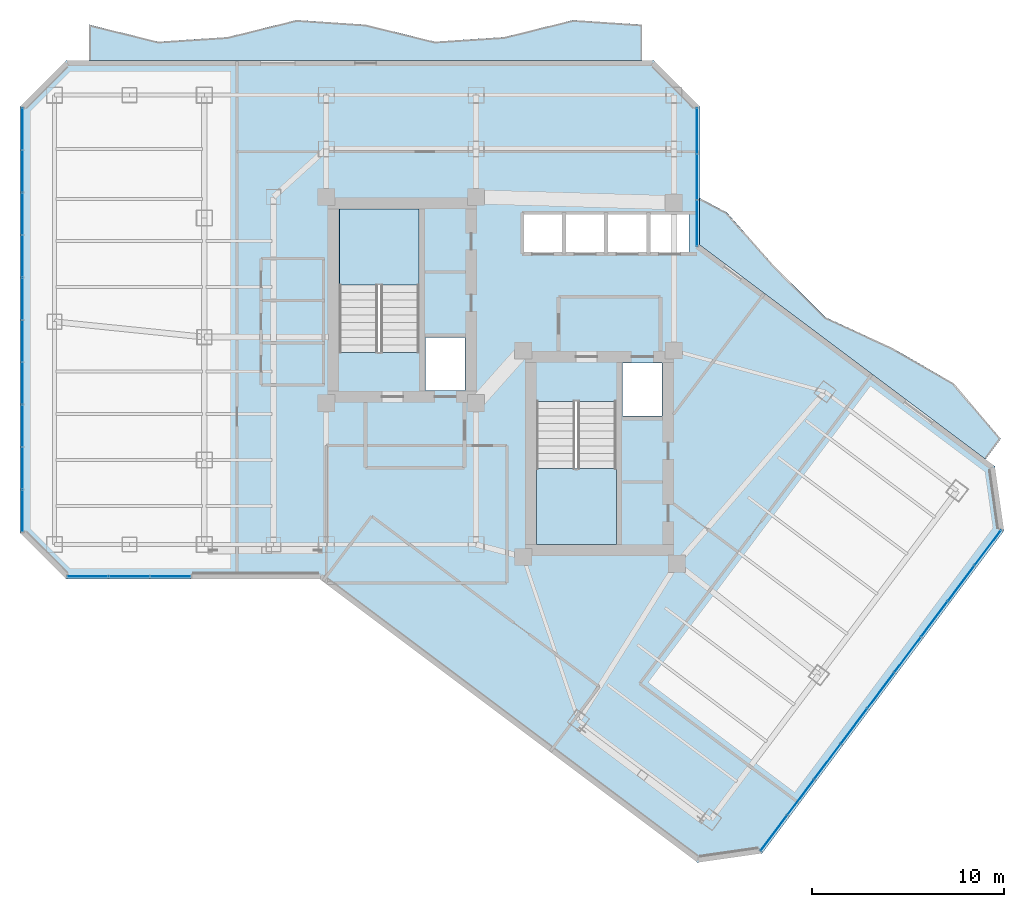
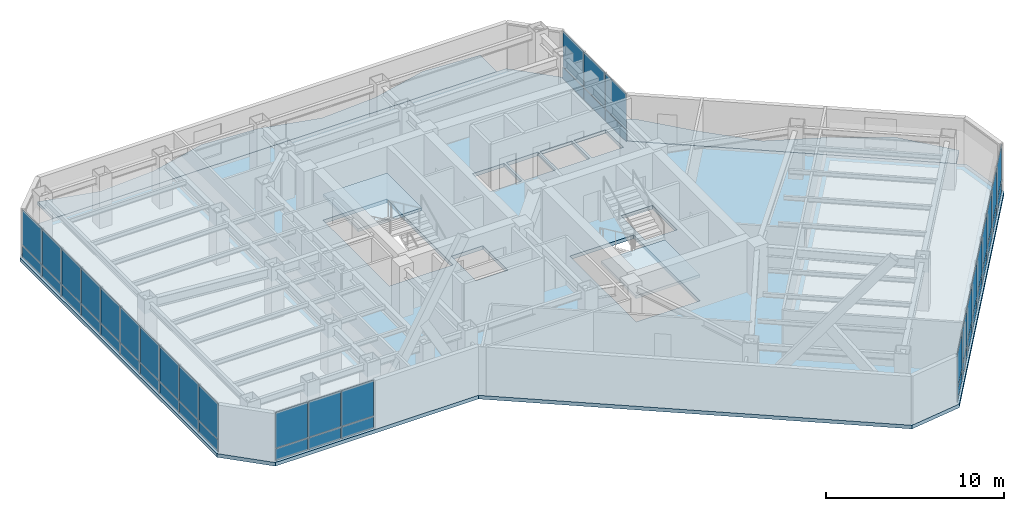
# One storey, part 20 of 26: 50 plates, 5 slabs, 6 elements without a shape of their own.
"""IFC4 building model written with IfcOpenShell, lengths in metres."""

from ifc_helpers import new_model, si_unit, direction, frame, origin, origin_2d, place, context, subcontext, project, spatial, polyline, rectangle, outline, extrude, material, layer, layer_set, type_object, element, aggregate, save


model = new_model("IFC4")

# Units and contexts
model_context = context("Model", 3, precision=1e-05, world=origin(), true_north=direction((0.0, 1.0)))
body_context = subcontext(model_context, "Body", "Model", "MODEL_VIEW")
ifc_project = project(units=[si_unit("LENGTHUNIT", "METRE"), si_unit("AREAUNIT", "SQUARE_METRE"), si_unit("VOLUMEUNIT", "CUBIC_METRE"), si_unit("PLANEANGLEUNIT", "RADIAN"), si_unit("MASSUNIT", "GRAM", prefix="KILO")], contexts=[model_context])

# Site, building, storey
site_placement = place(None, origin())
site = spatial("IfcSite", under=ifc_project, at=site_placement, CompositionType="ELEMENT")
building_placement = place(site_placement, origin())
building = spatial("IfcBuilding", under=site, at=building_placement, Name="Hatsunagi Terrace Concourse", CompositionType="ELEMENT")
storey_placement = place(building_placement, frame((0.0, 0.0, 134.85009765625)))
storey = spatial("IfcBuildingStorey", under=building, at=storey_placement, Name="L35", CompositionType="ELEMENT", Elevation=134.85009765625)

# Curtain wall, plates
ifc_material_1 = material(Name="Anodised Aluminium Alloy 6063-T5", Category="aluminium")
ifc_layer_1 = layer(ifc_material_1, 0.199951171875)
ifc_layer_set_1 = layer_set([ifc_layer_1], Name="OfficeZone1_CW03")
curtain_wall_type = type_object("IfcCurtainWallType", Name="OfficeZone1_CW03", PredefinedType="NOTDEFINED", material=ifc_layer_set_1)
curtain_wall_1_placement = place(storey_placement, origin())
curtain_wall_1 = element("IfcCurtainWall", 1, at=curtain_wall_1_placement, inside=storey, type_object=curtain_wall_type, Name="Unitised Curtain Wall CW-03 CW-L35-03", PredefinedType="NOTDEFINED")
ifc_material_2 = material(Name="Warm Terracotta Ceramic Spandrel Panel", Category="masonry")
ifc_layer_2 = layer(ifc_material_2, 0.031982421875)
ifc_layer_set_2 = layer_set([ifc_layer_2], Name="CurtainWallSpandrelPanel_32")
plate_type_1 = type_object("IfcPlateType", Name="CurtainWallSpandrelPanel_32", PredefinedType="SHEET", material=ifc_layer_set_2)
plate_1_placement = place(storey_placement, frame((59.9970703125, 25.030029296875, 0.02978515625), z_axis=(0.0, 0.0, 1.0), x_axis=(-0.599969314634, -0.800023013105, 0.0)))
plate_1 = element("IfcPlate", 2, at=plate_1_placement, type_object=plate_type_1, Name="Terracotta Spandrel Panel SPN-01", PredefinedType="SHEET", context=body_context, shape_type="SweptSolid", body=[
    extrude(rectangle(XDim=2.264892578125, YDim=0.031982421875, at=origin_2d()), origin(), (0.0, 0.0, 1.0), 0.7900390625),
])
plate_2_placement = place(storey_placement, frame((58.60498046875, 23.173095703125, 0.02978515625), z_axis=(0.0, 0.0, 1.0), x_axis=(-0.599969314634, -0.800023013105, 0.0)))
plate_2 = element("IfcPlate", 3, at=plate_2_placement, type_object=plate_type_1, Name="Terracotta Spandrel Panel SPN-01", PredefinedType="SHEET", context=body_context, shape_type="SweptSolid", body=[
    extrude(rectangle(XDim=2.264892578125, YDim=0.031982421875, at=origin_2d()), origin(), (0.0, 0.0, 1.0), 0.7900390625),
])
plate_3_placement = place(storey_placement, frame((57.2119140625, 21.31689453125, 0.02978515625), z_axis=(0.0, 0.0, 1.0), x_axis=(-0.599969314634, -0.800023013105, 0.0)))
plate_3 = element("IfcPlate", 4, at=plate_3_placement, type_object=plate_type_1, Name="Terracotta Spandrel Panel SPN-01", PredefinedType="SHEET", context=body_context, shape_type="SweptSolid", body=[
    extrude(rectangle(XDim=2.264892578125, YDim=0.031982421875, at=origin_2d()), origin(), (0.0, 0.0, 1.0), 0.7900390625),
])
plate_4_placement = place(storey_placement, frame((55.820068359375, 19.4599609375, 0.02978515625), z_axis=(0.0, 0.0, 1.0), x_axis=(-0.599969314634, -0.800023013105, 0.0)))
plate_4 = element("IfcPlate", 5, at=plate_4_placement, type_object=plate_type_1, Name="Terracotta Spandrel Panel SPN-01", PredefinedType="SHEET", context=body_context, shape_type="SweptSolid", body=[
    extrude(rectangle(XDim=2.264892578125, YDim=0.031982421875, at=origin_2d()), origin(), (0.0, 0.0, 1.0), 0.7900390625),
])
plate_5_placement = place(storey_placement, frame((54.427978515625, 17.60400390625, 0.02978515625), z_axis=(0.0, 0.0, 1.0), x_axis=(-0.599969314634, -0.800023013105, 0.0)))
plate_5 = element("IfcPlate", 6, at=plate_5_placement, type_object=plate_type_1, Name="Terracotta Spandrel Panel SPN-01", PredefinedType="SHEET", context=body_context, shape_type="SweptSolid", body=[
    extrude(rectangle(XDim=2.264892578125, YDim=0.031982421875, at=origin_2d()), origin(), (0.0, 0.0, 1.0), 0.7900390625),
])
plate_6_placement = place(storey_placement, frame((53.035888671875, 15.748046875, 0.02978515625), z_axis=(0.0, 0.0, 1.0), x_axis=(-0.599969314634, -0.800023013105, 0.0)))
plate_6 = element("IfcPlate", 7, at=plate_6_placement, type_object=plate_type_1, Name="Terracotta Spandrel Panel SPN-01", PredefinedType="SHEET", context=body_context, shape_type="SweptSolid", body=[
    extrude(rectangle(XDim=2.264892578125, YDim=0.031982421875, at=origin_2d()), origin(), (0.0, 0.0, 1.0), 0.7900390625),
])
plate_7_placement = place(storey_placement, frame((51.64404296875, 13.89111328125, 0.02978515625), z_axis=(0.0, 0.0, 1.0), x_axis=(-0.599969314634, -0.800023013105, 0.0)))
plate_7 = element("IfcPlate", 8, at=plate_7_placement, type_object=plate_type_1, Name="Terracotta Spandrel Panel SPN-01", PredefinedType="SHEET", context=body_context, shape_type="SweptSolid", body=[
    extrude(rectangle(XDim=2.264892578125, YDim=0.031982421875, at=origin_2d()), origin(), (0.0, 0.0, 1.0), 0.7900390625),
])
plate_8_placement = place(storey_placement, frame((50.2509765625, 12.034912109375, 0.02978515625), z_axis=(0.0, 0.0, 1.0), x_axis=(-0.599969314634, -0.800023013105, 0.0)))
plate_8 = element("IfcPlate", 9, at=plate_8_placement, type_object=plate_type_1, Name="Terracotta Spandrel Panel SPN-01", PredefinedType="SHEET", context=body_context, shape_type="SweptSolid", body=[
    extrude(rectangle(XDim=2.264892578125, YDim=0.031982421875, at=origin_2d()), origin(), (0.0, 0.0, 1.0), 0.7900390625),
])
plate_9_placement = place(storey_placement, frame((48.85888671875, 10.177978515625, 0.02978515625), z_axis=(0.0, 0.0, 1.0), x_axis=(-0.599969314634, -0.800023013105, 0.0)))
plate_9 = element("IfcPlate", 10, at=plate_9_placement, type_object=plate_type_1, Name="Terracotta Spandrel Panel SPN-01", PredefinedType="SHEET", context=body_context, shape_type="SweptSolid", body=[
    extrude(rectangle(XDim=2.264892578125, YDim=0.031982421875, at=origin_2d()), origin(), (0.0, 0.0, 1.0), 0.7900390625),
])

curtain_wall_2_placement = place(storey_placement, origin())
curtain_wall_2 = element("IfcCurtainWall", 11, at=curtain_wall_2_placement, inside=storey, type_object=curtain_wall_type, Name="Unitised Curtain Wall CW-03 CW-L35-07", PredefinedType="NOTDEFINED")
plate_10_placement = place(storey_placement, frame((17.426025390625, 23.5400390625, 0.02978515625), z_axis=(0.0, 0.0, 1.0), x_axis=(-1.0, 0.0, 0.0)))
plate_10 = element("IfcPlate", 12, at=plate_10_placement, type_object=plate_type_1, Name="Terracotta Spandrel Panel SPN-01", PredefinedType="SHEET", context=body_context, shape_type="SweptSolid", body=[
    extrude(rectangle(XDim=2.092041015625, YDim=0.031982421875, at=origin_2d()), origin(), (0.0, 0.0, 1.0), 0.7900390625),
])
plate_11_placement = place(storey_placement, frame((15.279052734375, 23.5400390625, 0.02978515625), z_axis=(0.0, 0.0, 1.0), x_axis=(-1.0, 0.0, 0.0)))
plate_11 = element("IfcPlate", 13, at=plate_11_placement, type_object=plate_type_1, Name="Terracotta Spandrel Panel SPN-01", PredefinedType="SHEET", context=body_context, shape_type="SweptSolid", body=[
    extrude(rectangle(XDim=2.092041015625, YDim=0.031982421875, at=origin_2d()), origin(), (0.0, 0.0, 1.0), 0.7900390625),
])
plate_12_placement = place(storey_placement, frame((13.132080078125, 23.5400390625, 0.02978515625), z_axis=(0.0, 0.0, 1.0), x_axis=(-1.0, 0.0, 0.0)))
plate_12 = element("IfcPlate", 14, at=plate_12_placement, type_object=plate_type_1, Name="Terracotta Spandrel Panel SPN-01", PredefinedType="SHEET", context=body_context, shape_type="SweptSolid", body=[
    extrude(rectangle(XDim=2.092041015625, YDim=0.031982421875, at=origin_2d()), origin(), (0.0, 0.0, 1.0), 0.7900390625),
])

curtain_wall_3_placement = place(storey_placement, origin())
curtain_wall_3 = element("IfcCurtainWall", 15, at=curtain_wall_3_placement, inside=storey, type_object=curtain_wall_type, Name="Unitised Curtain Wall CW-03 CW-L35-09", PredefinedType="NOTDEFINED")
plate_13_placement = place(storey_placement, frame((9.739990234375, 26.9619140625, 0.02978515625), z_axis=(0.0, 0.0, 1.0), x_axis=(0.0, 1.0, 0.0)))
plate_13 = element("IfcPlate", 16, at=plate_13_placement, type_object=plate_type_1, Name="Terracotta Spandrel Panel SPN-01", PredefinedType="SHEET", context=body_context, shape_type="SweptSolid", body=[
    extrude(rectangle(XDim=2.153076171875, YDim=0.031982421875, at=origin_2d()), origin(), (0.0, 0.0, 1.0), 0.7900390625),
])
plate_14_placement = place(storey_placement, frame((9.739990234375, 29.1708984375, 0.02978515625), z_axis=(0.0, 0.0, 1.0), x_axis=(0.0, 1.0, 0.0)))
plate_14 = element("IfcPlate", 17, at=plate_14_placement, type_object=plate_type_1, Name="Terracotta Spandrel Panel SPN-01", PredefinedType="SHEET", context=body_context, shape_type="SweptSolid", body=[
    extrude(rectangle(XDim=2.153076171875, YDim=0.031982421875, at=origin_2d()), origin(), (0.0, 0.0, 1.0), 0.7900390625),
])
plate_15_placement = place(storey_placement, frame((9.739990234375, 31.37890625, 0.02978515625), z_axis=(0.0, 0.0, 1.0), x_axis=(0.0, 1.0, 0.0)))
plate_15 = element("IfcPlate", 18, at=plate_15_placement, type_object=plate_type_1, Name="Terracotta Spandrel Panel SPN-01", PredefinedType="SHEET", context=body_context, shape_type="SweptSolid", body=[
    extrude(rectangle(XDim=2.153076171875, YDim=0.031982421875, at=origin_2d()), origin(), (0.0, 0.0, 1.0), 0.7900390625),
])
plate_16_placement = place(storey_placement, frame((9.739990234375, 33.5869140625, 0.02978515625), z_axis=(0.0, 0.0, 1.0), x_axis=(0.0, 1.0, 0.0)))
plate_16 = element("IfcPlate", 19, at=plate_16_placement, type_object=plate_type_1, Name="Terracotta Spandrel Panel SPN-01", PredefinedType="SHEET", context=body_context, shape_type="SweptSolid", body=[
    extrude(rectangle(XDim=2.153076171875, YDim=0.031982421875, at=origin_2d()), origin(), (0.0, 0.0, 1.0), 0.7900390625),
])
plate_17_placement = place(storey_placement, frame((9.739990234375, 35.7958984375, 0.02978515625), z_axis=(0.0, 0.0, 1.0), x_axis=(0.0, 1.0, 0.0)))
plate_17 = element("IfcPlate", 20, at=plate_17_placement, type_object=plate_type_1, Name="Terracotta Spandrel Panel SPN-01", PredefinedType="SHEET", context=body_context, shape_type="SweptSolid", body=[
    extrude(rectangle(XDim=2.153076171875, YDim=0.031982421875, at=origin_2d()), origin(), (0.0, 0.0, 1.0), 0.7900390625),
])
plate_18_placement = place(storey_placement, frame((9.739990234375, 38.00390625, 0.02978515625), z_axis=(0.0, 0.0, 1.0), x_axis=(0.0, 1.0, 0.0)))
plate_18 = element("IfcPlate", 21, at=plate_18_placement, type_object=plate_type_1, Name="Terracotta Spandrel Panel SPN-01", PredefinedType="SHEET", context=body_context, shape_type="SweptSolid", body=[
    extrude(rectangle(XDim=2.153076171875, YDim=0.031982421875, at=origin_2d()), origin(), (0.0, 0.0, 1.0), 0.7900390625),
])
plate_19_placement = place(storey_placement, frame((9.739990234375, 40.212890625, 0.02978515625), z_axis=(0.0, 0.0, 1.0), x_axis=(0.0, 1.0, 0.0)))
plate_19 = element("IfcPlate", 22, at=plate_19_placement, type_object=plate_type_1, Name="Terracotta Spandrel Panel SPN-01", PredefinedType="SHEET", context=body_context, shape_type="SweptSolid", body=[
    extrude(rectangle(XDim=2.153076171875, YDim=0.031982421875, at=origin_2d()), origin(), (0.0, 0.0, 1.0), 0.7900390625),
])
plate_20_placement = place(storey_placement, frame((9.739990234375, 42.4208984375, 0.02978515625), z_axis=(0.0, 0.0, 1.0), x_axis=(0.0, 1.0, 0.0)))
plate_20 = element("IfcPlate", 23, at=plate_20_placement, type_object=plate_type_1, Name="Terracotta Spandrel Panel SPN-01", PredefinedType="SHEET", context=body_context, shape_type="SweptSolid", body=[
    extrude(rectangle(XDim=2.153076171875, YDim=0.031982421875, at=origin_2d()), origin(), (0.0, 0.0, 1.0), 0.7900390625),
])
plate_21_placement = place(storey_placement, frame((9.739990234375, 44.62890625, 0.02978515625), z_axis=(0.0, 0.0, 1.0), x_axis=(0.0, 1.0, 0.0)))
plate_21 = element("IfcPlate", 24, at=plate_21_placement, type_object=plate_type_1, Name="Terracotta Spandrel Panel SPN-01", PredefinedType="SHEET", context=body_context, shape_type="SweptSolid", body=[
    extrude(rectangle(XDim=2.153076171875, YDim=0.031982421875, at=origin_2d()), origin(), (0.0, 0.0, 1.0), 0.7900390625),
])
plate_22_placement = place(storey_placement, frame((9.739990234375, 46.837890625, 0.02978515625), z_axis=(0.0, 0.0, 1.0), x_axis=(0.0, 1.0, 0.0)))
plate_22 = element("IfcPlate", 25, at=plate_22_placement, type_object=plate_type_1, Name="Terracotta Spandrel Panel SPN-01", PredefinedType="SHEET", context=body_context, shape_type="SweptSolid", body=[
    extrude(rectangle(XDim=2.153076171875, YDim=0.031982421875, at=origin_2d()), origin(), (0.0, 0.0, 1.0), 0.7900390625),
])

curtain_wall_4_placement = place(storey_placement, origin())
curtain_wall_4 = element("IfcCurtainWall", 26, at=curtain_wall_4_placement, inside=storey, type_object=curtain_wall_type, Name="Unitised Curtain Wall CW-03 CW-L35-13", PredefinedType="NOTDEFINED")
plate_23_placement = place(storey_placement, frame((44.860107421875, 46.739990234375, 0.02978515625), z_axis=(0.0, 0.0, 1.0), x_axis=(0.0, -1.0, 0.0)))
plate_23 = element("IfcPlate", 27, at=plate_23_placement, type_object=plate_type_1, Name="Terracotta Spandrel Panel SPN-01", PredefinedType="SHEET", context=body_context, shape_type="SweptSolid", body=[
    extrude(rectangle(XDim=2.34912109375, YDim=0.031982421875, at=origin_2d()), origin(), (0.0, 0.0, 1.0), 0.7900390625),
])
plate_24_placement = place(storey_placement, frame((44.860107421875, 44.3359375, 0.02978515625), z_axis=(0.0, 0.0, 1.0), x_axis=(0.0, -1.0, 0.0)))
plate_24 = element("IfcPlate", 28, at=plate_24_placement, type_object=plate_type_1, Name="Terracotta Spandrel Panel SPN-01", PredefinedType="SHEET", context=body_context, shape_type="SweptSolid", body=[
    extrude(rectangle(XDim=2.34912109375, YDim=0.031982421875, at=origin_2d()), origin(), (0.0, 0.0, 1.0), 0.7900390625),
])
plate_25_placement = place(storey_placement, frame((44.860107421875, 41.931884765625, 0.02978515625), z_axis=(0.0, 0.0, 1.0), x_axis=(0.0, -1.0, 0.0)))
plate_25 = element("IfcPlate", 29, at=plate_25_placement, type_object=plate_type_1, Name="Terracotta Spandrel Panel SPN-01", PredefinedType="SHEET", context=body_context, shape_type="SweptSolid", body=[
    extrude(rectangle(XDim=2.34912109375, YDim=0.031982421875, at=origin_2d()), origin(), (0.0, 0.0, 1.0), 0.7900390625),
])

# Plate
ifc_material_3 = material(Name="Low-E Double Insulating Glass 28mm", Category="glass")
ifc_layer_3 = layer(ifc_material_3, 0.028076171875)
ifc_layer_set_3 = layer_set([ifc_layer_3], Name="CurtainWallVisionGlass_28")
plate_type_2 = type_object("IfcPlateType", Name="CurtainWallVisionGlass_28", PredefinedType="CURTAIN_PANEL", material=ifc_layer_set_3)
plate_26_placement = place(storey_placement, frame((59.9970703125, 25.030029296875, 0.8798828125), z_axis=(0.0, 0.0, 1.0), x_axis=(-0.599969314634, -0.800023013105, 0.0)))
plate_26 = element("IfcPlate", 30, at=plate_26_placement, type_object=plate_type_2, Name="Low-E Vision Glass Panel GLZ-01", PredefinedType="CURTAIN_PANEL", context=body_context, shape_type="SweptSolid", body=[
    extrude(rectangle(XDim=2.264892578125, YDim=0.028076171875, at=origin_2d()), origin(), (0.0, 0.0, 1.0), 2.43994140625),
])

plate_27_placement = place(storey_placement, frame((58.60498046875, 23.173095703125, 0.8798828125), z_axis=(0.0, 0.0, 1.0), x_axis=(-0.599969314634, -0.800023013105, 0.0)))
plate_27 = element("IfcPlate", 31, at=plate_27_placement, type_object=plate_type_2, Name="Low-E Vision Glass Panel GLZ-01", PredefinedType="CURTAIN_PANEL", context=body_context, shape_type="SweptSolid", body=[
    extrude(rectangle(XDim=2.264892578125, YDim=0.028076171875, at=origin_2d()), origin(), (0.0, 0.0, 1.0), 2.43994140625),
])

plate_28_placement = place(storey_placement, frame((57.2119140625, 21.31689453125, 0.8798828125), z_axis=(0.0, 0.0, 1.0), x_axis=(-0.599969314634, -0.800023013105, 0.0)))
plate_28 = element("IfcPlate", 32, at=plate_28_placement, type_object=plate_type_2, Name="Low-E Vision Glass Panel GLZ-01", PredefinedType="CURTAIN_PANEL", context=body_context, shape_type="SweptSolid", body=[
    extrude(rectangle(XDim=2.264892578125, YDim=0.028076171875, at=origin_2d()), origin(), (0.0, 0.0, 1.0), 2.43994140625),
])

plate_29_placement = place(storey_placement, frame((55.820068359375, 19.4599609375, 0.8798828125), z_axis=(0.0, 0.0, 1.0), x_axis=(-0.599969314634, -0.800023013105, 0.0)))
plate_29 = element("IfcPlate", 33, at=plate_29_placement, type_object=plate_type_2, Name="Low-E Vision Glass Panel GLZ-01", PredefinedType="CURTAIN_PANEL", context=body_context, shape_type="SweptSolid", body=[
    extrude(rectangle(XDim=2.264892578125, YDim=0.028076171875, at=origin_2d()), origin(), (0.0, 0.0, 1.0), 2.43994140625),
])

plate_30_placement = place(storey_placement, frame((54.427978515625, 17.60400390625, 0.8798828125), z_axis=(0.0, 0.0, 1.0), x_axis=(-0.599969314634, -0.800023013105, 0.0)))
plate_30 = element("IfcPlate", 34, at=plate_30_placement, type_object=plate_type_2, Name="Low-E Vision Glass Panel GLZ-01", PredefinedType="CURTAIN_PANEL", context=body_context, shape_type="SweptSolid", body=[
    extrude(rectangle(XDim=2.264892578125, YDim=0.028076171875, at=origin_2d()), origin(), (0.0, 0.0, 1.0), 2.43994140625),
])

plate_31_placement = place(storey_placement, frame((53.035888671875, 15.748046875, 0.8798828125), z_axis=(0.0, 0.0, 1.0), x_axis=(-0.599969314634, -0.800023013105, 0.0)))
plate_31 = element("IfcPlate", 35, at=plate_31_placement, type_object=plate_type_2, Name="Low-E Vision Glass Panel GLZ-01", PredefinedType="CURTAIN_PANEL", context=body_context, shape_type="SweptSolid", body=[
    extrude(rectangle(XDim=2.264892578125, YDim=0.028076171875, at=origin_2d()), origin(), (0.0, 0.0, 1.0), 2.43994140625),
])

plate_32_placement = place(storey_placement, frame((51.64404296875, 13.89111328125, 0.8798828125), z_axis=(0.0, 0.0, 1.0), x_axis=(-0.599969314634, -0.800023013105, 0.0)))
plate_32 = element("IfcPlate", 36, at=plate_32_placement, type_object=plate_type_2, Name="Low-E Vision Glass Panel GLZ-01", PredefinedType="CURTAIN_PANEL", context=body_context, shape_type="SweptSolid", body=[
    extrude(rectangle(XDim=2.264892578125, YDim=0.028076171875, at=origin_2d()), origin(), (0.0, 0.0, 1.0), 2.43994140625),
])

plate_33_placement = place(storey_placement, frame((50.2509765625, 12.034912109375, 0.8798828125), z_axis=(0.0, 0.0, 1.0), x_axis=(-0.599969314634, -0.800023013105, 0.0)))
plate_33 = element("IfcPlate", 37, at=plate_33_placement, type_object=plate_type_2, Name="Low-E Vision Glass Panel GLZ-01", PredefinedType="CURTAIN_PANEL", context=body_context, shape_type="SweptSolid", body=[
    extrude(rectangle(XDim=2.264892578125, YDim=0.028076171875, at=origin_2d()), origin(), (0.0, 0.0, 1.0), 2.43994140625),
])

plate_34_placement = place(storey_placement, frame((48.85888671875, 10.177978515625, 0.8798828125), z_axis=(0.0, 0.0, 1.0), x_axis=(-0.599969314634, -0.800023013105, 0.0)))
plate_34 = element("IfcPlate", 38, at=plate_34_placement, type_object=plate_type_2, Name="Low-E Vision Glass Panel GLZ-01", PredefinedType="CURTAIN_PANEL", context=body_context, shape_type="SweptSolid", body=[
    extrude(rectangle(XDim=2.264892578125, YDim=0.028076171875, at=origin_2d()), origin(), (0.0, 0.0, 1.0), 2.43994140625),
])

aggregate(curtain_wall_1, [plate_1, plate_26, plate_2, plate_27, plate_3, plate_28, plate_4, plate_29, plate_5, plate_30, plate_6, plate_31, plate_7, plate_32, plate_8, plate_33, plate_9, plate_34])

plate_35_placement = place(storey_placement, frame((17.426025390625, 23.5400390625, 0.8798828125), z_axis=(0.0, 0.0, 1.0), x_axis=(-1.0, 0.0, 0.0)))
plate_35 = element("IfcPlate", 39, at=plate_35_placement, type_object=plate_type_2, Name="Low-E Vision Glass Panel GLZ-01", PredefinedType="CURTAIN_PANEL", context=body_context, shape_type="SweptSolid", body=[
    extrude(rectangle(XDim=2.092041015625, YDim=0.028076171875, at=origin_2d()), origin(), (0.0, 0.0, 1.0), 2.43994140625),
])

plate_36_placement = place(storey_placement, frame((15.279052734375, 23.5400390625, 0.8798828125), z_axis=(0.0, 0.0, 1.0), x_axis=(-1.0, 0.0, 0.0)))
plate_36 = element("IfcPlate", 40, at=plate_36_placement, type_object=plate_type_2, Name="Low-E Vision Glass Panel GLZ-01", PredefinedType="CURTAIN_PANEL", context=body_context, shape_type="SweptSolid", body=[
    extrude(rectangle(XDim=2.092041015625, YDim=0.028076171875, at=origin_2d()), origin(), (0.0, 0.0, 1.0), 2.43994140625),
])

plate_37_placement = place(storey_placement, frame((13.132080078125, 23.5400390625, 0.8798828125), z_axis=(0.0, 0.0, 1.0), x_axis=(-1.0, 0.0, 0.0)))
plate_37 = element("IfcPlate", 41, at=plate_37_placement, type_object=plate_type_2, Name="Low-E Vision Glass Panel GLZ-01", PredefinedType="CURTAIN_PANEL", context=body_context, shape_type="SweptSolid", body=[
    extrude(rectangle(XDim=2.092041015625, YDim=0.028076171875, at=origin_2d()), origin(), (0.0, 0.0, 1.0), 2.43994140625),
])

aggregate(curtain_wall_2, [plate_10, plate_35, plate_11, plate_36, plate_12, plate_37])

plate_38_placement = place(storey_placement, frame((9.739990234375, 26.9619140625, 0.8798828125), z_axis=(0.0, 0.0, 1.0), x_axis=(0.0, 1.0, 0.0)))
plate_38 = element("IfcPlate", 42, at=plate_38_placement, type_object=plate_type_2, Name="Low-E Vision Glass Panel GLZ-01", PredefinedType="CURTAIN_PANEL", context=body_context, shape_type="SweptSolid", body=[
    extrude(rectangle(XDim=2.153076171875, YDim=0.028076171875, at=origin_2d()), origin(), (0.0, 0.0, 1.0), 2.43994140625),
])

plate_39_placement = place(storey_placement, frame((9.739990234375, 29.1708984375, 0.8798828125), z_axis=(0.0, 0.0, 1.0), x_axis=(0.0, 1.0, 0.0)))
plate_39 = element("IfcPlate", 43, at=plate_39_placement, type_object=plate_type_2, Name="Low-E Vision Glass Panel GLZ-01", PredefinedType="CURTAIN_PANEL", context=body_context, shape_type="SweptSolid", body=[
    extrude(rectangle(XDim=2.153076171875, YDim=0.028076171875, at=origin_2d()), origin(), (0.0, 0.0, 1.0), 2.43994140625),
])

plate_40_placement = place(storey_placement, frame((9.739990234375, 31.37890625, 0.8798828125), z_axis=(0.0, 0.0, 1.0), x_axis=(0.0, 1.0, 0.0)))
plate_40 = element("IfcPlate", 44, at=plate_40_placement, type_object=plate_type_2, Name="Low-E Vision Glass Panel GLZ-01", PredefinedType="CURTAIN_PANEL", context=body_context, shape_type="SweptSolid", body=[
    extrude(rectangle(XDim=2.153076171875, YDim=0.028076171875, at=origin_2d()), origin(), (0.0, 0.0, 1.0), 2.43994140625),
])

plate_41_placement = place(storey_placement, frame((9.739990234375, 33.5869140625, 0.8798828125), z_axis=(0.0, 0.0, 1.0), x_axis=(0.0, 1.0, 0.0)))
plate_41 = element("IfcPlate", 45, at=plate_41_placement, type_object=plate_type_2, Name="Low-E Vision Glass Panel GLZ-01", PredefinedType="CURTAIN_PANEL", context=body_context, shape_type="SweptSolid", body=[
    extrude(rectangle(XDim=2.153076171875, YDim=0.028076171875, at=origin_2d()), origin(), (0.0, 0.0, 1.0), 2.43994140625),
])

plate_42_placement = place(storey_placement, frame((9.739990234375, 35.7958984375, 0.8798828125), z_axis=(0.0, 0.0, 1.0), x_axis=(0.0, 1.0, 0.0)))
plate_42 = element("IfcPlate", 46, at=plate_42_placement, type_object=plate_type_2, Name="Low-E Vision Glass Panel GLZ-01", PredefinedType="CURTAIN_PANEL", context=body_context, shape_type="SweptSolid", body=[
    extrude(rectangle(XDim=2.153076171875, YDim=0.028076171875, at=origin_2d()), origin(), (0.0, 0.0, 1.0), 2.43994140625),
])

plate_43_placement = place(storey_placement, frame((9.739990234375, 38.00390625, 0.8798828125), z_axis=(0.0, 0.0, 1.0), x_axis=(0.0, 1.0, 0.0)))
plate_43 = element("IfcPlate", 47, at=plate_43_placement, type_object=plate_type_2, Name="Low-E Vision Glass Panel GLZ-01", PredefinedType="CURTAIN_PANEL", context=body_context, shape_type="SweptSolid", body=[
    extrude(rectangle(XDim=2.153076171875, YDim=0.028076171875, at=origin_2d()), origin(), (0.0, 0.0, 1.0), 2.43994140625),
])

plate_44_placement = place(storey_placement, frame((9.739990234375, 40.212890625, 0.8798828125), z_axis=(0.0, 0.0, 1.0), x_axis=(0.0, 1.0, 0.0)))
plate_44 = element("IfcPlate", 48, at=plate_44_placement, type_object=plate_type_2, Name="Low-E Vision Glass Panel GLZ-01", PredefinedType="CURTAIN_PANEL", context=body_context, shape_type="SweptSolid", body=[
    extrude(rectangle(XDim=2.153076171875, YDim=0.028076171875, at=origin_2d()), origin(), (0.0, 0.0, 1.0), 2.43994140625),
])

plate_45_placement = place(storey_placement, frame((9.739990234375, 42.4208984375, 0.8798828125), z_axis=(0.0, 0.0, 1.0), x_axis=(0.0, 1.0, 0.0)))
plate_45 = element("IfcPlate", 49, at=plate_45_placement, type_object=plate_type_2, Name="Low-E Vision Glass Panel GLZ-01", PredefinedType="CURTAIN_PANEL", context=body_context, shape_type="SweptSolid", body=[
    extrude(rectangle(XDim=2.153076171875, YDim=0.028076171875, at=origin_2d()), origin(), (0.0, 0.0, 1.0), 2.43994140625),
])

plate_46_placement = place(storey_placement, frame((9.739990234375, 44.62890625, 0.8798828125), z_axis=(0.0, 0.0, 1.0), x_axis=(0.0, 1.0, 0.0)))
plate_46 = element("IfcPlate", 50, at=plate_46_placement, type_object=plate_type_2, Name="Low-E Vision Glass Panel GLZ-01", PredefinedType="CURTAIN_PANEL", context=body_context, shape_type="SweptSolid", body=[
    extrude(rectangle(XDim=2.153076171875, YDim=0.028076171875, at=origin_2d()), origin(), (0.0, 0.0, 1.0), 2.43994140625),
])

plate_47_placement = place(storey_placement, frame((9.739990234375, 46.837890625, 0.8798828125), z_axis=(0.0, 0.0, 1.0), x_axis=(0.0, 1.0, 0.0)))
plate_47 = element("IfcPlate", 51, at=plate_47_placement, type_object=plate_type_2, Name="Low-E Vision Glass Panel GLZ-01", PredefinedType="CURTAIN_PANEL", context=body_context, shape_type="SweptSolid", body=[
    extrude(rectangle(XDim=2.153076171875, YDim=0.028076171875, at=origin_2d()), origin(), (0.0, 0.0, 1.0), 2.43994140625),
])

aggregate(curtain_wall_3, [plate_13, plate_38, plate_14, plate_39, plate_15, plate_40, plate_16, plate_41, plate_17, plate_42, plate_18, plate_43, plate_19, plate_44, plate_20, plate_45, plate_21, plate_46, plate_22, plate_47])

plate_48_placement = place(storey_placement, frame((44.860107421875, 46.739990234375, 0.8798828125), z_axis=(0.0, 0.0, 1.0), x_axis=(0.0, -1.0, 0.0)))
plate_48 = element("IfcPlate", 52, at=plate_48_placement, type_object=plate_type_2, Name="Low-E Vision Glass Panel GLZ-01", PredefinedType="CURTAIN_PANEL", context=body_context, shape_type="SweptSolid", body=[
    extrude(rectangle(XDim=2.34912109375, YDim=0.028076171875, at=origin_2d()), origin(), (0.0, 0.0, 1.0), 2.43994140625),
])

plate_49_placement = place(storey_placement, frame((44.860107421875, 44.3359375, 0.8798828125), z_axis=(0.0, 0.0, 1.0), x_axis=(0.0, -1.0, 0.0)))
plate_49 = element("IfcPlate", 53, at=plate_49_placement, type_object=plate_type_2, Name="Low-E Vision Glass Panel GLZ-01", PredefinedType="CURTAIN_PANEL", context=body_context, shape_type="SweptSolid", body=[
    extrude(rectangle(XDim=2.34912109375, YDim=0.028076171875, at=origin_2d()), origin(), (0.0, 0.0, 1.0), 2.43994140625),
])

plate_50_placement = place(storey_placement, frame((44.860107421875, 41.931884765625, 0.8798828125), z_axis=(0.0, 0.0, 1.0), x_axis=(0.0, -1.0, 0.0)))
plate_50 = element("IfcPlate", 54, at=plate_50_placement, type_object=plate_type_2, Name="Low-E Vision Glass Panel GLZ-01", PredefinedType="CURTAIN_PANEL", context=body_context, shape_type="SweptSolid", body=[
    extrude(rectangle(XDim=2.34912109375, YDim=0.028076171875, at=origin_2d()), origin(), (0.0, 0.0, 1.0), 2.43994140625),
])

aggregate(curtain_wall_4, [plate_23, plate_48, plate_24, plate_49, plate_25, plate_50])

# Stair, slab
ifc_material_4 = material(Name="Concrete Fc42", Category="concrete")
stair_type = type_object("IfcStairType", Name="DoglegExitStair_Tower2000_20R_180", PredefinedType="HALF_TURN_STAIR", material=ifc_material_4)
stair_1_placement = place(storey_placement, origin())
stair_1 = element("IfcStair", 55, at=stair_1_placement, inside=storey, type_object=stair_type, Name="L35 Core A Protected Exit Stair ST-A", PredefinedType="HALF_TURN_STAIR")
ifc_material_5 = material(Name="Concrete Fc42", Category="concrete")
ifc_layer_4 = layer(ifc_material_5, 0.199951171875)
ifc_layer_set_4 = layer_set([ifc_layer_4], Name="DoglegStairLanding_Tower2000")
slab_type_1 = type_object("IfcSlabType", Name="DoglegStairLanding_Tower2000", PredefinedType="LANDING", material=ifc_layer_set_4)
slab_1_placement = place(storey_placement, frame((0.0, 0.0, 1.599853515625)))
slab_1 = element("IfcSlab", 56, at=slab_1_placement, type_object=slab_type_1, Name="ST-A landing 1", PredefinedType="LANDING", context=body_context, shape_type="SweptSolid", body=[
    extrude(outline(polyline([(30.3798828125, 38.7099609375), (30.3798828125, 42.659912109375), (26.22998046875, 42.659912109375), (26.22998046875, 38.7099609375), (30.3798828125, 38.7099609375)])), origin(), (0.0, 0.0, 1.0), 0.199951171875),
])
aggregate(stair_1, [slab_1])

stair_2_placement = place(storey_placement, origin())
stair_2 = element("IfcStair", 57, at=stair_2_placement, inside=storey, type_object=stair_type, Name="L35 Core B Protected Exit Stair ST-B", PredefinedType="HALF_TURN_STAIR")
slab_2_placement = place(storey_placement, frame((0.0, 0.0, 1.599853515625)))
slab_2 = element("IfcSlab", 58, at=slab_2_placement, type_object=slab_type_1, Name="ST-B landing 1", PredefinedType="LANDING", context=body_context, shape_type="SweptSolid", body=[
    extrude(outline(polyline([(36.5, 29.14990234375), (36.5, 25.199951171875), (40.64990234375, 25.199951171875), (40.64990234375, 29.14990234375), (36.5, 29.14990234375)])), origin(), (0.0, 0.0, 1.0), 0.199951171875),
])
aggregate(stair_2, [slab_2])

# Slabs
ifc_material_6 = material(Name="Concrete Fc42", Category="concrete")
ifc_layer_5 = layer(ifc_material_6, 0.199951171875)
ifc_layer_set_5 = layer_set([ifc_layer_5], Name="EngawaBalconySlab_Fc42_200")
slab_type_2 = type_object("IfcSlabType", Name="EngawaBalconySlab_Fc42_200", PredefinedType="FLOOR", material=ifc_layer_set_5)
slab_3_placement = place(storey_placement, frame((0.0, 0.0, -0.2001953125)))
element("IfcSlab", 59, at=slab_3_placement, inside=storey, type_object=slab_type_2, Name="Engawa Balcony Slab BAL-L35-BN", PredefinedType="FLOOR", context=body_context, shape_type="SweptSolid", body=[
    extrude(outline(polyline([(13.199951171875, 52.27490234375), (13.199951171875, 50.39990234375), (42.0, 50.39990234375), (42.0, 52.27490234375), (38.39990234375, 52.512939453125), (34.800048828125, 51.625), (31.199951171875, 51.386962890625), (27.60009765625, 52.27490234375), (24.0, 52.512939453125), (20.39990234375, 51.625), (16.800048828125, 51.386962890625), (13.199951171875, 52.27490234375)])), origin(), (0.0, 0.0, 1.0), 0.2001953125),
])
slab_4_placement = place(storey_placement, frame((0.0, 0.0, -0.2001953125)))
element("IfcSlab", 60, at=slab_4_placement, inside=storey, type_object=slab_type_2, Name="Engawa Balcony Slab BAL-L35-BSE", PredefinedType="FLOOR", context=body_context, shape_type="SweptSolid", body=[
    extrude(outline(polyline([(46.39697265625, 42.49609375), (44.99609375, 43.236083984375), (44.99609375, 40.802978515625), (59.8798828125, 29.639892578125), (60.677001953125, 30.701904296875), (58.221923828125, 33.595947265625), (54.990966796875, 35.455078125), (51.549072265625, 37.031982421875), (48.902099609375, 39.669921875), (46.39697265625, 42.49609375)])), origin(), (0.0, 0.0, 1.0), 0.2001953125),
])
ifc_material_7 = material(Name="Concrete Fc42", Category="concrete")
ifc_layer_6 = layer(ifc_material_7, 0.25)
ifc_layer_set_6 = layer_set([ifc_layer_6], Name="OfficeCrownSlab_Fc42_250")
slab_type_3 = type_object("IfcSlabType", Name="OfficeCrownSlab_Fc42_250", PredefinedType="FLOOR", material=ifc_layer_set_6)
slab_5_placement = place(storey_placement, frame((0.0, 0.0, -0.25)))
element("IfcSlab", 61, at=slab_5_placement, inside=storey, type_object=slab_type_3, Name="Floor Slab SL-250 L35", PredefinedType="FLOOR", context=body_context, shape_type="SweptSolid", body=[
    extrude(outline(polyline([(45.0, 40.800048828125), (45.0, 48.0), (42.60009765625, 50.39990234375), (12.0, 50.39990234375), (9.60009765625, 48.0), (9.60009765625, 25.800048828125), (12.0, 23.39990234375), (25.199951171875, 23.39990234375), (44.8798828125, 8.639892578125), (48.239990234375, 9.1201171875), (60.840087890625, 25.919921875), (60.360107421875, 29.280029296875), (45.0, 40.800048828125)]), holes=[polyline([(26.22998046875, 35.205078125), (30.3798828125, 35.205078125), (30.3798828125, 42.659912109375), (26.22998046875, 42.659912109375), (26.22998046875, 35.205078125)]), polyline([(36.5, 25.199951171875), (40.64990234375, 25.199951171875), (40.64990234375, 32.655029296875), (36.5, 32.655029296875), (36.5, 25.199951171875)]), polyline([(30.719970703125, 33.219970703125), (32.780029296875, 33.219970703125), (32.780029296875, 35.97998046875), (30.719970703125, 35.97998046875), (30.719970703125, 33.219970703125)]), polyline([(40.97998046875, 31.8798828125), (43.02001953125, 31.8798828125), (43.02001953125, 34.639892578125), (40.97998046875, 34.639892578125), (40.97998046875, 31.8798828125)]), polyline([(35.800048828125, 40.39990234375), (37.85009765625, 40.39990234375), (37.85009765625, 42.39990234375), (35.800048828125, 42.39990234375), (35.800048828125, 40.39990234375)]), polyline([(38.0, 40.39990234375), (40.050048828125, 40.39990234375), (40.050048828125, 42.39990234375), (38.0, 42.39990234375), (38.0, 40.39990234375)]), polyline([(40.199951171875, 40.39990234375), (42.25, 40.39990234375), (42.25, 42.39990234375), (40.199951171875, 42.39990234375), (40.199951171875, 40.39990234375)]), polyline([(42.39990234375, 40.39990234375), (44.449951171875, 40.39990234375), (44.449951171875, 42.39990234375), (42.39990234375, 42.39990234375), (42.39990234375, 40.39990234375)])]), origin(), (0.0, 0.0, 1.0), 0.25),
])

save(model, "model.ifc")
